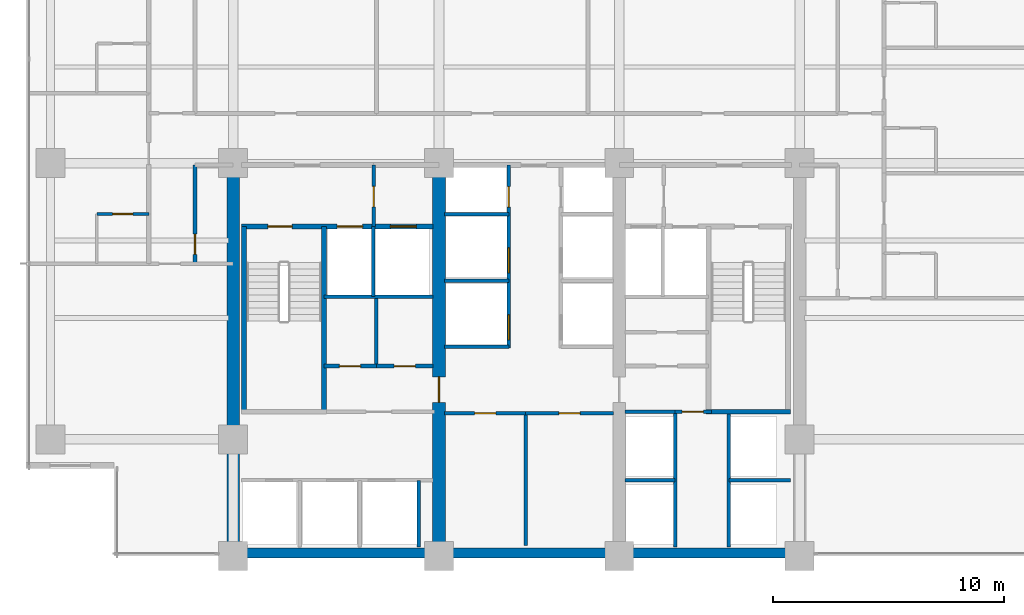
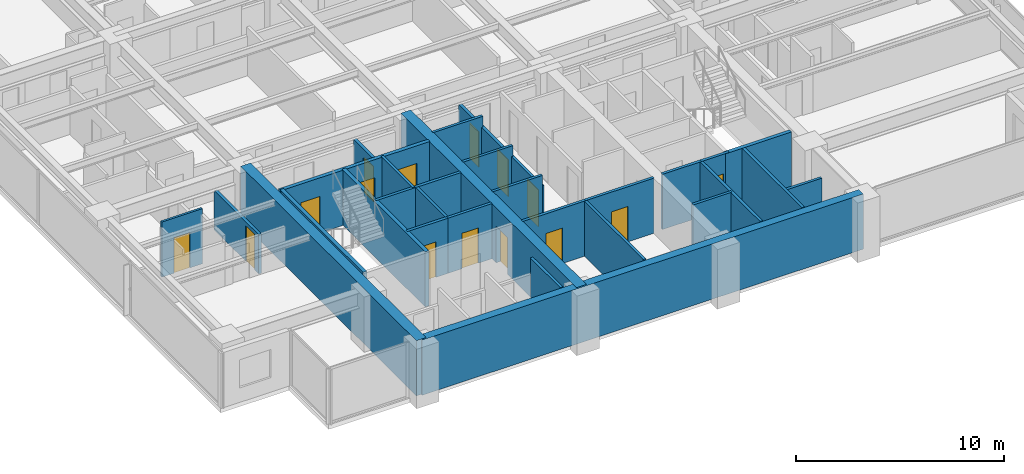
# One storey, part 8 of 17: 29 walls, 15 doors, 15 openings.
"""IFC4 building model written with IfcOpenShell, lengths in metres."""

from ifc_helpers import new_model, si_unit, direction, frame, frame_2d, origin, place, context, subcontext, project, spatial, rectangle, extrude, material, layer, layer_set, type_object, element, fill, save


model = new_model("IFC4")

# Units and contexts
model_context = context("Model", 3, precision=1e-05, world=origin(), true_north=direction((0.0, 1.0)))
body_context = subcontext(model_context, "Body", "Model", "MODEL_VIEW")
ifc_project = project(units=[si_unit("LENGTHUNIT", "METRE"), si_unit("AREAUNIT", "SQUARE_METRE"), si_unit("VOLUMEUNIT", "CUBIC_METRE"), si_unit("PLANEANGLEUNIT", "RADIAN"), si_unit("MASSUNIT", "GRAM", prefix="KILO")], contexts=[model_context])

# Site, building, storey
site_placement = place(None, origin())
site = spatial("IfcSite", under=ifc_project, at=site_placement, CompositionType="ELEMENT")
building_placement = place(site_placement, origin())
building = spatial("IfcBuilding", under=site, at=building_placement, Name="Qalmaran Belvedere Hotel", CompositionType="ELEMENT")
storey_placement = place(building_placement, frame((0.0, 0.0, 109.199951171875)))
storey = spatial("IfcBuildingStorey", under=building, at=storey_placement, Name="L27", CompositionType="ELEMENT", Elevation=109.199951171875)

# Wall
ifc_material_1 = material(Name="Concrete C60/75", Category="concrete")
ifc_layer_1 = layer(ifc_material_1, 0.550048828125, Name="Concrete C60/75")
ifc_layer_set_1 = layer_set([ifc_layer_1], Name="Concrete C60/75")
wall_type_1 = type_object("IfcWallType", Name="WL-CORE-550-C60", PredefinedType="SHEAR", material=ifc_layer_set_1)
wall_1_placement = place(storey_placement, frame((20.300048828125, 3.5, 0.0), z_axis=(0.0, 0.0, 1.0), x_axis=(0.0, 1.0, 0.0)))
element("IfcWall", 1, at=wall_1_placement, inside=storey, type_object=wall_type_1, Name="L27 West Core Shear Wall", PredefinedType="SHEAR", context=body_context, shape_type="SweptSolid", body=[
    extrude(rectangle(XDim=16.89990234375, YDim=0.550048828125, at=frame_2d((8.449951171875, 0.0))), origin(), (0.0, 0.0, 1.0), 3.239990234375),
])

# Wall, opening, door
wall_2_placement = place(storey_placement, frame((29.199951171875, 3.5, 0.0), z_axis=(0.0, 0.0, 1.0), x_axis=(0.0, 1.0, 0.0)))
wall_2 = element("IfcWall", 2, at=wall_2_placement, inside=storey, type_object=wall_type_1, Name="L27 Core West Spine Shear Wall", PredefinedType="SHEAR", context=body_context, shape_type="SweptSolid", body=[
    extrude(rectangle(XDim=16.89990234375, YDim=0.550048828125, at=frame_2d((8.449951171875, 0.0))), origin(), (0.0, 0.0, 1.0), 3.239990234375),
])
opening_1_placement = place(wall_2_placement, frame((7.75, 0.0, 0.0), z_axis=(0.0, 0.0, 1.0), x_axis=(-1.0, 0.0, 0.0)))
opening_1 = element("IfcOpeningElement", 3, at=opening_1_placement, cuts=wall_2, Name="Opening FD90", PredefinedType="OPENING", context=body_context, shape_type="SweptSolid", body=[
    extrude(rectangle(XDim=1.10009765625, YDim=2.14990234375, at=frame_2d((0.550048828125, 1.074951171875))), frame((0.0, 0.28515625, 0.0), z_axis=(0.0, -1.0, 0.0), x_axis=(1.0, 0.0, 0.0)), (0.0, 0.0, 1.0), 0.570068359375),
])
ifc_material_2 = material(Name="Steel S355JR", Category="steel")
door_type_1 = type_object("IfcDoorType", Name="DR-FD90-1100X2150", OperationType="NOTDEFINED", PredefinedType="DOOR", material=ifc_material_2)
door_1_placement = place(opening_1_placement, origin())
door_1 = element("IfcDoor", 4, at=door_1_placement, inside=storey, type_object=door_type_1, Name="L27 Core West Cross-Lobby Door", OperationType="SINGLE_SWING_LEFT", OverallHeight=2.14990234375, OverallWidth=1.10009765625, PredefinedType="DOOR", context=body_context, shape_type="SweptSolid", body=[
    extrude(rectangle(XDim=1.10009765625, YDim=2.14990234375, at=frame_2d((0.550048828125, 1.074951171875))), frame((0.0, 0.02490234375, 0.0), z_axis=(0.0, -1.0, 0.0), x_axis=(1.0, 0.0, 0.0)), (0.0, 0.0, 1.0), 0.050048828125),
])
fill(opening_1, door_1)

# Wall
ifc_material_3 = material(Name="Concrete C50/60", Category="concrete")
ifc_layer_2 = layer(ifc_material_3, 0.43994140625, Name="Concrete C50/60")
ifc_layer_set_2 = layer_set([ifc_layer_2], Name="Concrete C50/60")
wall_type_2 = type_object("IfcWallType", Name="WL-CORES-440-EXT", PredefinedType="SHEAR", material=ifc_layer_set_2)
wall_3_placement = place(storey_placement, frame((20.300048828125, 3.6298828125, 0.0), z_axis=(0.0, 0.0, 1.0), x_axis=(1.0, 0.0, 0.0)))
element("IfcWall", 5, at=wall_3_placement, inside=storey, type_object=wall_type_2, Name="L27 South Core Shear Wall", PredefinedType="SHEAR", context=body_context, shape_type="SweptSolid", body=[
    extrude(rectangle(XDim=24.5, YDim=0.43994140625, at=frame_2d((12.25, 0.0))), origin(), (0.0, 0.0, 1.0), 3.239990234375),
])

# Wall, opening, door
ifc_material_4 = material(Name="Moisture-Resistant Gypsum")
ifc_layer_3 = layer(ifc_material_4, 0.1201171875, Name="Moisture-Resistant Gypsum")
ifc_layer_set_3 = layer_set([ifc_layer_3], Name="Moisture-Resistant Gypsum")
wall_type_3 = type_object("IfcWallType", Name="WL-INT-120-BATH", PredefinedType="PARTITIONING", material=ifc_layer_set_3)
wall_4_placement = place(storey_placement, frame((14.39990234375, 18.300048828125, 0.0), z_axis=(0.0, 0.0, 1.0), x_axis=(1.0, 0.0, 0.0)))
wall_4 = element("IfcWall", 6, at=wall_4_placement, inside=storey, type_object=wall_type_3, Name="L27 Partition WL-L27-WBN00", PredefinedType="PARTITIONING", context=body_context, shape_type="SweptSolid", body=[
    extrude(rectangle(XDim=2.25, YDim=0.1201171875, at=frame_2d((1.125, 0.0))), origin(), (0.0, 0.0, 1.0), 3.239990234375),
])
opening_2_placement = place(wall_4_placement, frame((1.56494140625, 0.0, 0.0), z_axis=(0.0, 0.0, 1.0), x_axis=(-1.0, 0.0, 0.0)))
opening_2 = element("IfcOpeningElement", 7, at=opening_2_placement, cuts=wall_4, Name="Opening D-BATH", PredefinedType="OPENING", context=body_context, shape_type="SweptSolid", body=[
    extrude(rectangle(XDim=0.8798828125, YDim=2.080078125, at=frame_2d((0.43994140625, 1.0400390625))), frame((0.0, 0.070068359375, 0.0), z_axis=(0.0, -1.0, 0.0), x_axis=(1.0, 0.0, 0.0)), (0.0, 0.0, 1.0), 0.14013671875),
])
ifc_material_5 = material(Name="Engineered Oak Veneer")
door_type_2 = type_object("IfcDoorType", Name="DR-INT-BATH-880X2080", OperationType="NOTDEFINED", PredefinedType="DOOR", material=ifc_material_5)
door_2_placement = place(opening_2_placement, origin())
door_2 = element("IfcDoor", 8, at=door_2_placement, inside=storey, type_object=door_type_2, Name="L27 W Ensuite Door 01", OperationType="SINGLE_SWING_LEFT", OverallHeight=2.080078125, OverallWidth=0.8798828125, PredefinedType="DOOR", context=body_context, shape_type="SweptSolid", body=[
    extrude(rectangle(XDim=0.8798828125, YDim=2.080078125, at=frame_2d((0.43994140625, 1.0400390625))), frame((0.0, 0.02490234375, 0.0), z_axis=(0.0, -1.0, 0.0), x_axis=(1.0, 0.0, 0.0)), (0.0, 0.0, 1.0), 0.050048828125),
])
fill(opening_2, door_2)

# Walls
ifc_material_6 = material(Name="Gypsum Stud Partition")
ifc_layer_4 = layer(ifc_material_6, 0.14990234375, Name="Gypsum Stud Partition")
ifc_layer_set_4 = layer_set([ifc_layer_4], Name="Gypsum Stud Partition")
wall_type_4 = type_object("IfcWallType", Name="WL-INT-150-EI120", PredefinedType="PARTITIONING", material=ifc_layer_set_4)
wall_5_placement = place(storey_placement, frame((26.360107421875, 14.719970703125, 0.0), z_axis=(0.0, 0.0, 1.0), x_axis=(0.0, 1.0, 0.0)))
element("IfcWall", 9, at=wall_5_placement, inside=storey, type_object=wall_type_4, Name="L27 Partition WL-FF1M-L27", PredefinedType="PARTITIONING", context=body_context, shape_type="SweptSolid", body=[
    extrude(rectangle(XDim=3.0400390625, YDim=0.14990234375, at=frame_2d((1.52001953125, 0.0))), origin(), (0.0, 0.0, 1.0), 3.239990234375),
])
wall_6_placement = place(storey_placement, frame((28.320068359375, 3.89990234375, 0.0), z_axis=(0.0, 0.0, 1.0), x_axis=(0.0, 1.0, 0.0)))
element("IfcWall", 10, at=wall_6_placement, inside=storey, type_object=wall_type_4, Name="L27 Partition WL-POM3-L27", PredefinedType="PARTITIONING", context=body_context, shape_type="SweptSolid", body=[
    extrude(rectangle(XDim=2.880126953125, YDim=0.14990234375, at=frame_2d((1.43994140625, 0.0))), origin(), (0.0, 0.0, 1.0), 3.239990234375),
])
wall_7_placement = place(storey_placement, frame((37.25, 6.780029296875, 0.0), z_axis=(0.0, 0.0, 1.0), x_axis=(1.0, 0.0, 0.0)))
element("IfcWall", 11, at=wall_7_placement, inside=storey, type_object=wall_type_4, Name="L27 Partition WL-PHMW-L27", PredefinedType="PARTITIONING", context=body_context, shape_type="SweptSolid", body=[
    extrude(rectangle(XDim=2.169921875, YDim=0.14990234375, at=frame_2d((1.0849609375, 0.0))), origin(), (0.0, 0.0, 1.0), 3.239990234375),
])
wall_8_placement = place(storey_placement, frame((41.739990234375, 6.780029296875, 0.0), z_axis=(0.0, 0.0, 1.0), x_axis=(1.0, 0.0, 0.0)))
element("IfcWall", 12, at=wall_8_placement, inside=storey, type_object=wall_type_4, Name="L27 Partition WL-PHME-L27", PredefinedType="PARTITIONING", context=body_context, shape_type="SweptSolid", body=[
    extrude(rectangle(XDim=2.659912109375, YDim=0.14990234375, at=frame_2d((1.330078125, 0.0))), origin(), (0.0, 0.0, 1.0), 2.31298828125),
])
for number, where, z_axis, x_axis, name in (
    (13, (29.449951171875, 12.550048828125, 0.0), (0.0, 0.0, 1.0), (1.0, 0.0, 0.0), "L27 Partition WL-PMW-L27-125"),
    (14, (29.449951171875, 15.419921875, 0.0), (0.0, 0.0, 1.0), (1.0, 0.0, 0.0), "L27 Partition WL-PMW-L27-154"),
    (15, (29.449951171875, 18.280029296875, 0.0), (0.0, 0.0, 1.0), (1.0, 0.0, 0.0), "L27 Partition WL-PMW-L27-182"),
):
    element("IfcWall", number, at=place(storey_placement, frame(where, z_axis=z_axis, x_axis=x_axis)), inside=storey, type_object=wall_type_4, Name=name, PredefinedType="PARTITIONING", context=body_context, shape_type="SweptSolid", body=[
        extrude(rectangle(XDim=2.77001953125, YDim=0.14990234375, at=frame_2d((1.385009765625, 0.0))), origin(), (0.0, 0.0, 1.0), 3.239990234375),
    ])
ifc_layer_5 = layer(ifc_material_6, 0.14990234375, Name="Gypsum Stud Partition")
ifc_layer_set_5 = layer_set([ifc_layer_5], Name="Gypsum Stud Partition")
wall_type_5 = type_object("IfcWallType", Name="WL-INT-150-EI60", PredefinedType="PARTITIONING", material=ifc_layer_set_5)
wall_9_placement = place(storey_placement, frame((26.490478515625, 11.719970703125, 0.0), z_axis=(0.0, 0.0, 1.0), x_axis=(0.0, 1.0, 0.0)))
element("IfcWall", 16, at=wall_9_placement, inside=storey, type_object=wall_type_5, Name="L27 Partition WL-L27-KWV1", PredefinedType="PARTITIONING", context=body_context, shape_type="SweptSolid", body=[
    extrude(rectangle(XDim=2.929931640625, YDim=0.14990234375, at=frame_2d((1.46484375, 0.0))), origin(), (0.0, 0.0, 1.0), 3.239990234375),
])
wall_10_placement = place(storey_placement, frame((32.9541015625, 3.949951171875, 0.0), z_axis=(0.0, 0.0, 1.0), x_axis=(0.0, 1.0, 0.0)))
element("IfcWall", 17, at=wall_10_placement, inside=storey, type_object=wall_type_5, Name="L27 Partition WL-L27-KPLV1", PredefinedType="PARTITIONING", context=body_context, shape_type="SweptSolid", body=[
    extrude(rectangle(XDim=5.72998046875, YDim=0.14990234375, at=frame_2d((2.864990234375, 0.0))), origin(), (0.0, 0.0, 1.0), 3.239990234375),
])

# Wall, opening, door
ifc_layer_6 = layer(ifc_material_6, 0.159912109375, Name="Gypsum Stud Partition")
ifc_layer_set_6 = layer_set([ifc_layer_6], Name="Gypsum Stud Partition")
wall_type_6 = type_object("IfcWallType", Name="WL-INT-160-EI120", PredefinedType="PARTITIONING", material=ifc_layer_set_6)
wall_11_placement = place(storey_placement, frame((26.3798828125, 17.760009765625, 0.0), z_axis=(0.0, 0.0, 1.0), x_axis=(0.0, 1.0, 0.0)))
wall_11 = element("IfcWall", 18, at=wall_11_placement, inside=storey, type_object=wall_type_6, Name="L27 Partition WL-FFSV1-L27", PredefinedType="PARTITIONING", context=body_context, shape_type="SweptSolid", body=[
    extrude(rectangle(XDim=2.659912109375, YDim=0.159912109375, at=frame_2d((1.330078125, 0.0))), origin(), (0.0, 0.0, 1.0), 2.614013671875),
])
opening_3_placement = place(wall_11_placement, frame((0.85009765625, 0.0, 0.0)))
opening_3 = element("IfcOpeningElement", 19, at=opening_3_placement, cuts=wall_11, Name="Opening FD60B", PredefinedType="OPENING", context=body_context, shape_type="SweptSolid", body=[
    extrude(rectangle(XDim=0.8798828125, YDim=2.080078125, at=frame_2d((0.43994140625, 1.0400390625))), frame((0.0, 0.08984375, 0.0), z_axis=(0.0, -1.0, 0.0), x_axis=(1.0, 0.0, 0.0)), (0.0, 0.0, 1.0), 0.179931640625),
])
door_type_3 = type_object("IfcDoorType", Name="DR-FD60B-880X2080", OperationType="NOTDEFINED", PredefinedType="DOOR", material=ifc_material_2)
door_3_placement = place(opening_3_placement, origin())
door_3 = element("IfcDoor", 20, at=door_3_placement, inside=storey, type_object=door_type_3, Name="L27 Service Lobby West Door", OperationType="SINGLE_SWING_LEFT", OverallHeight=2.080078125, OverallWidth=0.8798828125, PredefinedType="DOOR", context=body_context, shape_type="SweptSolid", body=[
    extrude(rectangle(XDim=0.8798828125, YDim=2.080078125, at=frame_2d((0.43994140625, 1.0400390625))), frame((0.0, 0.02490234375, 0.0), z_axis=(0.0, -1.0, 0.0), x_axis=(1.0, 0.0, 0.0)), (0.0, 0.0, 1.0), 0.050048828125),
])
fill(opening_3, door_3)

# Walls
wall_12_placement = place(storey_placement, frame((24.219970703125, 14.719970703125, 0.0), z_axis=(0.0, 0.0, 1.0), x_axis=(1.0, 0.0, 0.0)))
element("IfcWall", 21, at=wall_12_placement, inside=storey, type_object=wall_type_6, Name="L27 Partition WL-FF1S-L27", PredefinedType="PARTITIONING", context=body_context, shape_type="SweptSolid", body=[
    extrude(rectangle(XDim=4.72998046875, YDim=0.159912109375, at=frame_2d((2.364990234375, 0.0))), origin(), (0.0, 0.0, 1.0), 3.239990234375),
])
for number, where, z_axis, x_axis, name in (
    (22, (39.419921875, 3.89990234375, 0.0), (0.0, 0.0, 1.0), (0.0, 1.0, 0.0), "L27 Partition WL-PHW-L27"),
    (23, (41.739990234375, 3.89990234375, 0.0), (0.0, 0.0, 1.0), (0.0, 1.0, 0.0), "L27 Partition WL-PHE-L27"),
):
    element("IfcWall", number, at=place(storey_placement, frame(where, z_axis=z_axis, x_axis=x_axis)), inside=storey, type_object=wall_type_6, Name=name, PredefinedType="PARTITIONING", context=body_context, shape_type="SweptSolid", body=[
        extrude(rectangle(XDim=5.840087890625, YDim=0.159912109375, at=frame_2d((2.919921875, 0.0))), origin(), (0.0, 0.0, 1.0), 3.239990234375),
    ])
wall_13_placement = place(storey_placement, frame((37.25, 9.739990234375, 0.0), z_axis=(0.0, 0.0, 1.0), x_axis=(1.0, 0.0, 0.0)))
element("IfcWall", 24, at=wall_13_placement, inside=storey, type_object=wall_type_6, Name="L27 Partition WL-PHNW-L27", PredefinedType="PARTITIONING", context=body_context, shape_type="SweptSolid", body=[
    extrude(rectangle(XDim=2.169921875, YDim=0.159912109375, at=frame_2d((1.0849609375, 0.0))), origin(), (0.0, 0.0, 1.0), 3.239990234375),
])

# Wall, opening, door
wall_14_placement = place(storey_placement, frame((39.419921875, 9.739990234375, 0.0), z_axis=(0.0, 0.0, 1.0), x_axis=(1.0, 0.0, 0.0)))
wall_14 = element("IfcWall", 25, at=wall_14_placement, inside=storey, type_object=wall_type_6, Name="L27 Partition WL-PHNL-L27", PredefinedType="PARTITIONING", context=body_context, shape_type="SweptSolid", body=[
    extrude(rectangle(XDim=1.56005859375, YDim=0.159912109375, at=frame_2d((0.780029296875, 0.0))), origin(), (0.0, 0.0, 1.0), 3.239990234375),
])
opening_4_placement = place(wall_14_placement, frame((0.300048828125, 0.0, 0.0)))
opening_4 = element("IfcOpeningElement", 26, at=opening_4_placement, cuts=wall_14, Name="Opening FD60S1", PredefinedType="OPENING", context=body_context, shape_type="SweptSolid", body=[
    extrude(rectangle(XDim=0.919921875, YDim=2.080078125, at=frame_2d((0.4599609375, 1.0400390625))), frame((0.0, 0.08984375, 0.0), z_axis=(0.0, -1.0, 0.0), x_axis=(1.0, 0.0, 0.0)), (0.0, 0.0, 1.0), 0.179931640625),
])
door_type_4 = type_object("IfcDoorType", Name="DR-FD60S-920X2080", OperationType="NOTDEFINED", PredefinedType="DOOR", material=ifc_material_5)
door_4_placement = place(opening_4_placement, origin())
door_4 = element("IfcDoor", 27, at=door_4_placement, inside=storey, type_object=door_type_4, Name="L27 High-Rise Lift Lobby Passage Door", OperationType="SINGLE_SWING_LEFT", OverallHeight=2.080078125, OverallWidth=0.919921875, PredefinedType="DOOR", context=body_context, shape_type="SweptSolid", body=[
    extrude(rectangle(XDim=0.919921875, YDim=2.080078125, at=frame_2d((0.4599609375, 1.0400390625))), frame((0.0, 0.02490234375, 0.0), z_axis=(0.0, -1.0, 0.0), x_axis=(1.0, 0.0, 0.0)), (0.0, 0.0, 1.0), 0.050048828125),
])
fill(opening_4, door_4)

# Wall, openings, doors
wall_15_placement = place(storey_placement, frame((32.219970703125, 12.5, 0.0), z_axis=(0.0, 0.0, 1.0), x_axis=(0.0, 1.0, 0.0)))
wall_15 = element("IfcWall", 28, at=wall_15_placement, inside=storey, type_object=wall_type_6, Name="L27 Partition WL-CLBWN-L27", PredefinedType="PARTITIONING", context=body_context, shape_type="SweptSolid", body=[
    extrude(rectangle(XDim=7.919921875, YDim=0.159912109375, at=frame_2d((3.9599609375, 0.0))), origin(), (0.0, 0.0, 1.0), 2.614013671875),
])
opening_5_placement = place(wall_15_placement, frame((1.43017578125, 0.0, 0.0), z_axis=(0.0, 0.0, 1.0), x_axis=(-1.0, 0.0, 0.0)))
opening_5 = element("IfcOpeningElement", 29, at=opening_5_placement, cuts=wall_15, Name="Opening LD-P1", PredefinedType="OPENING", context=body_context, shape_type="SweptSolid", body=[
    extrude(rectangle(XDim=1.080078125, YDim=2.159912109375, at=frame_2d((0.5400390625, 1.080078125))), frame((0.0, 0.08984375, 0.0), z_axis=(0.0, -1.0, 0.0), x_axis=(1.0, 0.0, 0.0)), (0.0, 0.0, 1.0), 0.179931640625),
])
opening_6_placement = place(wall_15_placement, frame((4.330078125, 0.0, 0.0), z_axis=(0.0, 0.0, 1.0), x_axis=(-1.0, 0.0, 0.0)))
opening_6 = element("IfcOpeningElement", 30, at=opening_6_placement, cuts=wall_15, Name="Opening LD-P1", PredefinedType="OPENING", context=body_context, shape_type="SweptSolid", body=[
    extrude(rectangle(XDim=1.080078125, YDim=2.159912109375, at=frame_2d((0.5400390625, 1.080078125))), frame((0.0, 0.08984375, 0.0), z_axis=(0.0, -1.0, 0.0), x_axis=(1.0, 0.0, 0.0)), (0.0, 0.0, 1.0), 0.179931640625),
])
opening_7_placement = place(wall_15_placement, frame((6.10009765625, 0.0, 0.0)))
opening_7 = element("IfcOpeningElement", 31, at=opening_7_placement, cuts=wall_15, Name="Opening FD60B", PredefinedType="OPENING", context=body_context, shape_type="SweptSolid", body=[
    extrude(rectangle(XDim=0.8798828125, YDim=2.080078125, at=frame_2d((0.43994140625, 1.0400390625))), frame((0.0, 0.08984375, 0.0), z_axis=(0.0, -1.0, 0.0), x_axis=(1.0, 0.0, 0.0)), (0.0, 0.0, 1.0), 0.179931640625),
])
door_5_placement = place(opening_7_placement, origin())
door_5 = element("IfcDoor", 32, at=door_5_placement, inside=storey, type_object=door_type_3, Name="L27 West Riser Access Door", OperationType="SINGLE_SWING_RIGHT", OverallHeight=2.080078125, OverallWidth=0.8798828125, PredefinedType="DOOR", context=body_context, shape_type="SweptSolid", body=[
    extrude(rectangle(XDim=0.8798828125, YDim=2.080078125, at=frame_2d((0.43994140625, 1.0400390625))), frame((0.0, 0.02490234375, 0.0), z_axis=(0.0, -1.0, 0.0), x_axis=(1.0, 0.0, 0.0)), (0.0, 0.0, 1.0), 0.050048828125),
])
fill(opening_7, door_5)
ifc_material_7 = material(Name="Stainless Steel 1.4401", Category="steel")
door_type_5 = type_object("IfcDoorType", Name="DR-LIFT-P1-1080X2160", OperationType="DOUBLE_DOOR_SLIDING", PredefinedType="DOOR", material=ifc_material_7)
door_6_placement = place(opening_5_placement, origin())
door_6 = element("IfcDoor", 33, at=door_6_placement, inside=storey, type_object=door_type_5, Name="L27 PM1 Lift Landing Door", OperationType="DOUBLE_DOOR_SLIDING", OverallHeight=2.159912109375, OverallWidth=1.080078125, PredefinedType="DOOR", context=body_context, shape_type="SweptSolid", body=[
    extrude(rectangle(XDim=1.080078125, YDim=2.159912109375, at=frame_2d((0.5400390625, 1.080078125))), frame((0.0, 0.02490234375, 0.0), z_axis=(0.0, -1.0, 0.0), x_axis=(1.0, 0.0, 0.0)), (0.0, 0.0, 1.0), 0.050048828125),
])
fill(opening_5, door_6)
door_7_placement = place(opening_6_placement, origin())
door_7 = element("IfcDoor", 34, at=door_7_placement, inside=storey, type_object=door_type_5, Name="L27 PM2 Lift Landing Door", OperationType="DOUBLE_DOOR_SLIDING", OverallHeight=2.159912109375, OverallWidth=1.080078125, PredefinedType="DOOR", context=body_context, shape_type="SweptSolid", body=[
    extrude(rectangle(XDim=1.080078125, YDim=2.159912109375, at=frame_2d((0.5400390625, 1.080078125))), frame((0.0, 0.02490234375, 0.0), z_axis=(0.0, -1.0, 0.0), x_axis=(1.0, 0.0, 0.0)), (0.0, 0.0, 1.0), 0.050048828125),
])
fill(opening_6, door_7)

# Wall, opening, door
ifc_layer_7 = layer(ifc_material_6, 0.159912109375, Name="Gypsum Stud Partition")
ifc_layer_set_7 = layer_set([ifc_layer_7], Name="Gypsum Stud Partition")
wall_type_7 = type_object("IfcWallType", Name="WL-INT-160-EI60", PredefinedType="PARTITIONING", material=ifc_layer_set_7)
wall_16_placement = place(storey_placement, frame((24.219970703125, 11.719970703125, 0.0), z_axis=(0.0, 0.0, 1.0), x_axis=(1.0, 0.0, 0.0)))
wall_16 = element("IfcWall", 35, at=wall_16_placement, inside=storey, type_object=wall_type_7, Name="L27 Partition WL-L27-KWE1", PredefinedType="PARTITIONING", context=body_context, shape_type="SweptSolid", body=[
    extrude(rectangle(XDim=2.2705078125, YDim=0.159912109375, at=frame_2d((1.13525390625, 0.0))), origin(), (0.0, 0.0, 1.0), 3.239990234375),
])
opening_8_placement = place(wall_16_placement, frame((0.67529296875, 0.0, 0.0)))
opening_8 = element("IfcOpeningElement", 36, at=opening_8_placement, cuts=wall_16, Name="Opening FD60S1", PredefinedType="OPENING", context=body_context, shape_type="SweptSolid", body=[
    extrude(rectangle(XDim=0.919921875, YDim=2.080078125, at=frame_2d((0.4599609375, 1.0400390625))), frame((0.0, 0.08984375, 0.0), z_axis=(0.0, -1.0, 0.0), x_axis=(1.0, 0.0, 0.0)), (0.0, 0.0, 1.0), 0.179931640625),
])
door_8_placement = place(opening_8_placement, origin())
door_8 = element("IfcDoor", 37, at=door_8_placement, inside=storey, type_object=door_type_4, Name="L27 Telecom and IT Room Door", OperationType="SINGLE_SWING_RIGHT", OverallHeight=2.080078125, OverallWidth=0.919921875, PredefinedType="DOOR", context=body_context, shape_type="SweptSolid", body=[
    extrude(rectangle(XDim=0.919921875, YDim=2.080078125, at=frame_2d((0.4599609375, 1.0400390625))), frame((0.0, 0.02490234375, 0.0), z_axis=(0.0, -1.0, 0.0), x_axis=(1.0, 0.0, 0.0)), (0.0, 0.0, 1.0), 0.050048828125),
])
fill(opening_8, door_8)

wall_17_placement = place(storey_placement, frame((26.490478515625, 11.719970703125, 0.0), z_axis=(0.0, 0.0, 1.0), x_axis=(1.0, 0.0, 0.0)))
wall_17 = element("IfcWall", 38, at=wall_17_placement, inside=storey, type_object=wall_type_7, Name="L27 Partition WL-L27-KWE2", PredefinedType="PARTITIONING", context=body_context, shape_type="SweptSolid", body=[
    extrude(rectangle(XDim=2.45947265625, YDim=0.159912109375, at=frame_2d((1.229736328125, 0.0))), origin(), (0.0, 0.0, 1.0), 3.239990234375),
])
opening_9_placement = place(wall_17_placement, frame((0.769775390625, 0.0, 0.0)))
opening_9 = element("IfcOpeningElement", 39, at=opening_9_placement, cuts=wall_17, Name="Opening FD60S1", PredefinedType="OPENING", context=body_context, shape_type="SweptSolid", body=[
    extrude(rectangle(XDim=0.919921875, YDim=2.080078125, at=frame_2d((0.4599609375, 1.0400390625))), frame((0.0, 0.08984375, 0.0), z_axis=(0.0, -1.0, 0.0), x_axis=(1.0, 0.0, 0.0)), (0.0, 0.0, 1.0), 0.179931640625),
])
door_9_placement = place(opening_9_placement, origin())
door_9 = element("IfcDoor", 40, at=door_9_placement, inside=storey, type_object=door_type_4, Name="L27 Cleaner Supply Store Door", OperationType="SINGLE_SWING_LEFT", OverallHeight=2.080078125, OverallWidth=0.919921875, PredefinedType="DOOR", context=body_context, shape_type="SweptSolid", body=[
    extrude(rectangle(XDim=0.919921875, YDim=2.080078125, at=frame_2d((0.4599609375, 1.0400390625))), frame((0.0, 0.02490234375, 0.0), z_axis=(0.0, -1.0, 0.0), x_axis=(1.0, 0.0, 0.0)), (0.0, 0.0, 1.0), 0.050048828125),
])
fill(opening_9, door_9)

wall_18_placement = place(storey_placement, frame((29.449951171875, 9.679931640625, 0.0), z_axis=(0.0, 0.0, 1.0), x_axis=(1.0, 0.0, 0.0)))
wall_18 = element("IfcWall", 41, at=wall_18_placement, inside=storey, type_object=wall_type_7, Name="L27 Partition WL-L27-KPLE1", PredefinedType="PARTITIONING", context=body_context, shape_type="SweptSolid", body=[
    extrude(rectangle(XDim=3.504150390625, YDim=0.159912109375, at=frame_2d((1.751953125, 0.0))), origin(), (0.0, 0.0, 1.0), 3.239990234375),
])
opening_10_placement = place(wall_18_placement, frame((2.2119140625, 0.0, 0.0), z_axis=(0.0, 0.0, 1.0), x_axis=(-1.0, 0.0, 0.0)))
opening_10 = element("IfcOpeningElement", 42, at=opening_10_placement, cuts=wall_18, Name="Opening FD60S1", PredefinedType="OPENING", context=body_context, shape_type="SweptSolid", body=[
    extrude(rectangle(XDim=0.919921875, YDim=2.080078125, at=frame_2d((0.4599609375, 1.0400390625))), frame((0.0, 0.08984375, 0.0), z_axis=(0.0, -1.0, 0.0), x_axis=(1.0, 0.0, 0.0)), (0.0, 0.0, 1.0), 0.179931640625),
])
door_10_placement = place(opening_10_placement, origin())
door_10 = element("IfcDoor", 43, at=door_10_placement, inside=storey, type_object=door_type_4, Name="L27 Hotel Butler Service Pantry Door", OperationType="SINGLE_SWING_RIGHT", OverallHeight=2.080078125, OverallWidth=0.919921875, PredefinedType="DOOR", context=body_context, shape_type="SweptSolid", body=[
    extrude(rectangle(XDim=0.919921875, YDim=2.080078125, at=frame_2d((0.4599609375, 1.0400390625))), frame((0.0, 0.02490234375, 0.0), z_axis=(0.0, -1.0, 0.0), x_axis=(1.0, 0.0, 0.0)), (0.0, 0.0, 1.0), 0.050048828125),
])
fill(opening_10, door_10)

wall_19_placement = place(storey_placement, frame((32.9541015625, 9.679931640625, 0.0), z_axis=(0.0, 0.0, 1.0), x_axis=(1.0, 0.0, 0.0)))
wall_19 = element("IfcWall", 44, at=wall_19_placement, inside=storey, type_object=wall_type_7, Name="L27 Partition WL-L27-KPLE2", PredefinedType="PARTITIONING", context=body_context, shape_type="SweptSolid", body=[
    extrude(rectangle(XDim=3.7958984375, YDim=0.159912109375, at=frame_2d((1.89794921875, 0.0))), origin(), (0.0, 0.0, 1.0), 3.239990234375),
])
opening_11_placement = place(wall_19_placement, frame((2.35791015625, 0.0, 0.0), z_axis=(0.0, 0.0, 1.0), x_axis=(-1.0, 0.0, 0.0)))
opening_11 = element("IfcOpeningElement", 45, at=opening_11_placement, cuts=wall_19, Name="Opening FD60S1", PredefinedType="OPENING", context=body_context, shape_type="SweptSolid", body=[
    extrude(rectangle(XDim=0.919921875, YDim=2.080078125, at=frame_2d((0.4599609375, 1.0400390625))), frame((0.0, 0.08984375, 0.0), z_axis=(0.0, -1.0, 0.0), x_axis=(1.0, 0.0, 0.0)), (0.0, 0.0, 1.0), 0.179931640625),
])
door_11_placement = place(opening_11_placement, origin())
door_11 = element("IfcDoor", 46, at=door_11_placement, inside=storey, type_object=door_type_4, Name="L27 Guest Valet Supply Store Door", OperationType="SINGLE_SWING_LEFT", OverallHeight=2.080078125, OverallWidth=0.919921875, PredefinedType="DOOR", context=body_context, shape_type="SweptSolid", body=[
    extrude(rectangle(XDim=0.919921875, YDim=2.080078125, at=frame_2d((0.4599609375, 1.0400390625))), frame((0.0, 0.02490234375, 0.0), z_axis=(0.0, -1.0, 0.0), x_axis=(1.0, 0.0, 0.0)), (0.0, 0.0, 1.0), 0.050048828125),
])
fill(opening_11, door_11)

wall_20_placement = place(storey_placement, frame((18.64990234375, 16.14990234375, 0.0), z_axis=(0.0, 0.0, 1.0), x_axis=(0.0, 1.0, 0.0)))
wall_20 = element("IfcWall", 47, at=wall_20_placement, inside=storey, type_object=wall_type_7, Name="L27 Partition WL-L27-WCL", PredefinedType="PARTITIONING", context=body_context, shape_type="SweptSolid", body=[
    extrude(rectangle(XDim=4.27001953125, YDim=0.159912109375, at=frame_2d((2.135009765625, 0.0))), origin(), (0.0, 0.0, 1.0), 2.31298828125),
])
opening_12_placement = place(wall_20_placement, frame((1.27978515625, 0.0, 0.0), z_axis=(0.0, 0.0, 1.0), x_axis=(-1.0, 0.0, 0.0)))
opening_12 = element("IfcOpeningElement", 48, at=opening_12_placement, cuts=wall_20, Name="Opening FD60B", PredefinedType="OPENING", context=body_context, shape_type="SweptSolid", body=[
    extrude(rectangle(XDim=0.8798828125, YDim=2.080078125, at=frame_2d((0.43994140625, 1.0400390625))), frame((0.0, 0.08984375, 0.0), z_axis=(0.0, -1.0, 0.0), x_axis=(1.0, 0.0, 0.0)), (0.0, 0.0, 1.0), 0.179931640625),
])
door_12_placement = place(opening_12_placement, origin())
door_12 = element("IfcDoor", 49, at=door_12_placement, inside=storey, type_object=door_type_3, Name="L27 West Closet Door", OperationType="SINGLE_SWING_RIGHT", OverallHeight=2.080078125, OverallWidth=0.8798828125, PredefinedType="DOOR", context=body_context, shape_type="SweptSolid", body=[
    extrude(rectangle(XDim=0.8798828125, YDim=2.080078125, at=frame_2d((0.43994140625, 1.0400390625))), frame((0.0, 0.02490234375, 0.0), z_axis=(0.0, -1.0, 0.0), x_axis=(1.0, 0.0, 0.0)), (0.0, 0.0, 1.0), 0.050048828125),
])
fill(opening_12, door_12)

# Walls
ifc_layer_8 = layer(ifc_material_3, 0.2099609375, Name="Concrete C50/60")
ifc_layer_set_8 = layer_set([ifc_layer_8], Name="Concrete C50/60")
wall_type_8 = type_object("IfcWallType", Name="WL-STAIR-210-C50", PredefinedType="SHEAR", material=ifc_layer_set_8)
for number, where, z_axis, x_axis, name in (
    (50, (20.77490234375, 9.7451171875, 0.0), (0.0, 0.0, 1.0), (0.0, 1.0, 0.0), "L27 Stair ST-1 West Bearing Wall"),
    (51, (24.22509765625, 9.7451171875, 0.0), (0.0, 0.0, 1.0), (0.0, 1.0, 0.0), "L27 Stair ST-1 East Bearing Wall"),
):
    element("IfcWall", number, at=place(storey_placement, frame(where, z_axis=z_axis, x_axis=x_axis)), inside=storey, type_object=wall_type_8, Name=name, PredefinedType="SHEAR", context=body_context, shape_type="SweptSolid", body=[
        extrude(rectangle(XDim=8.009765625, YDim=0.2099609375, at=frame_2d((4.0048828125, 0.0))), origin(), (0.0, 0.0, 1.0), 3.239990234375),
    ])

# Wall, openings, doors
wall_21_placement = place(storey_placement, frame((20.64990234375, 17.7548828125, 0.0), z_axis=(0.0, 0.0, 1.0), x_axis=(1.0, 0.0, 0.0)))
wall_21 = element("IfcWall", 52, at=wall_21_placement, inside=storey, type_object=wall_type_8, Name="L27 West Lobby and Stair ST-1 North Bearing Wall", PredefinedType="SHEAR", context=body_context, shape_type="SweptSolid", body=[
    extrude(rectangle(XDim=8.300048828125, YDim=0.2099609375, at=frame_2d((4.14990234375, 0.0))), origin(), (0.0, 0.0, 1.0), 3.239990234375),
])
opening_13_placement = place(wall_21_placement, frame((2.199951171875, 0.0, 0.0), z_axis=(0.0, 0.0, 1.0), x_axis=(-1.0, 0.0, 0.0)))
opening_13 = element("IfcOpeningElement", 53, at=opening_13_placement, cuts=wall_21, Name="Opening FD90S2", PredefinedType="OPENING", context=body_context, shape_type="SweptSolid", body=[
    extrude(rectangle(XDim=1.050048828125, YDim=2.14990234375, at=frame_2d((0.52490234375, 1.074951171875))), frame((0.0, 0.114990234375, 0.0), z_axis=(0.0, -1.0, 0.0), x_axis=(1.0, 0.0, 0.0)), (0.0, 0.0, 1.0), 0.22998046875),
])
opening_14_placement = place(wall_21_placement, frame((4.14990234375, 0.0, 0.0)))
opening_14 = element("IfcOpeningElement", 54, at=opening_14_placement, cuts=wall_21, Name="Opening LD-FF", PredefinedType="OPENING", context=body_context, shape_type="SweptSolid", body=[
    extrude(rectangle(XDim=1.10009765625, YDim=2.179931640625, at=frame_2d((0.550048828125, 1.08984375))), frame((0.0, 0.114990234375, 0.0), z_axis=(0.0, -1.0, 0.0), x_axis=(1.0, 0.0, 0.0)), (0.0, 0.0, 1.0), 0.22998046875),
])
opening_15_placement = place(wall_21_placement, frame((6.449951171875, 0.0, 0.0)))
opening_15 = element("IfcOpeningElement", 55, at=opening_15_placement, cuts=wall_21, Name="Opening LD-SV", PredefinedType="OPENING", context=body_context, shape_type="SweptSolid", body=[
    extrude(rectangle(XDim=1.1201171875, YDim=2.199951171875, at=frame_2d((0.56005859375, 1.10009765625))), frame((0.0, 0.114990234375, 0.0), z_axis=(0.0, -1.0, 0.0), x_axis=(1.0, 0.0, 0.0)), (0.0, 0.0, 1.0), 0.22998046875),
])
door_type_6 = type_object("IfcDoorType", Name="DR-FD90S-1050X2150", OperationType="NOTDEFINED", PredefinedType="DOOR", material=ifc_material_2)
door_13_placement = place(opening_13_placement, origin())
door_13 = element("IfcDoor", 56, at=door_13_placement, inside=storey, type_object=door_type_6, Name="L27 Stair ST-1 Door", OperationType="SINGLE_SWING_LEFT", OverallHeight=2.14990234375, OverallWidth=1.050048828125, PredefinedType="DOOR", context=body_context, shape_type="SweptSolid", body=[
    extrude(rectangle(XDim=1.050048828125, YDim=2.14990234375, at=frame_2d((0.52490234375, 1.074951171875))), frame((0.0, 0.02490234375, 0.0), z_axis=(0.0, -1.0, 0.0), x_axis=(1.0, 0.0, 0.0)), (0.0, 0.0, 1.0), 0.050048828125),
])
fill(opening_13, door_13)
door_type_7 = type_object("IfcDoorType", Name="DR-LIFT-FF-1100X2180", OperationType="DOUBLE_DOOR_SLIDING", PredefinedType="DOOR", material=ifc_material_7)
door_14_placement = place(opening_14_placement, origin())
door_14 = element("IfcDoor", 57, at=door_14_placement, inside=storey, type_object=door_type_7, Name="L27 FF1 Lift Landing Door", OperationType="DOUBLE_DOOR_SLIDING", OverallHeight=2.179931640625, OverallWidth=1.10009765625, PredefinedType="DOOR", context=body_context, shape_type="SweptSolid", body=[
    extrude(rectangle(XDim=1.10009765625, YDim=2.179931640625, at=frame_2d((0.550048828125, 1.08984375))), frame((0.0, 0.02490234375, 0.0), z_axis=(0.0, -1.0, 0.0), x_axis=(1.0, 0.0, 0.0)), (0.0, 0.0, 1.0), 0.050048828125),
])
fill(opening_14, door_14)
door_type_8 = type_object("IfcDoorType", Name="DR-LIFT-SV-1120X2200", OperationType="DOUBLE_DOOR_SLIDING", PredefinedType="DOOR", material=ifc_material_7)
door_15_placement = place(opening_15_placement, origin())
door_15 = element("IfcDoor", 58, at=door_15_placement, inside=storey, type_object=door_type_8, Name="L27 SV1 Lift Landing Door", OperationType="DOUBLE_DOOR_SLIDING", OverallHeight=2.199951171875, OverallWidth=1.1201171875, PredefinedType="DOOR", context=body_context, shape_type="SweptSolid", body=[
    extrude(rectangle(XDim=1.1201171875, YDim=2.199951171875, at=frame_2d((0.56005859375, 1.10009765625))), frame((0.0, 0.02490234375, 0.0), z_axis=(0.0, -1.0, 0.0), x_axis=(1.0, 0.0, 0.0)), (0.0, 0.0, 1.0), 0.050048828125),
])
fill(opening_15, door_15)

# Wall
wall_22_placement = place(storey_placement, frame((40.75, 9.7451171875, 0.0), z_axis=(0.0, 0.0, 1.0), x_axis=(1.0, 0.0, 0.0)))
element("IfcWall", 59, at=wall_22_placement, inside=storey, type_object=wall_type_8, Name="L27 Stair ST-2 South Bearing Wall", PredefinedType="SHEAR", context=body_context, shape_type="SweptSolid", body=[
    extrude(rectangle(XDim=3.659912109375, YDim=0.2099609375, at=frame_2d((1.830078125, 0.0))), origin(), (0.0, 0.0, 1.0), 3.239990234375),
])

save(model, "model.ifc")
